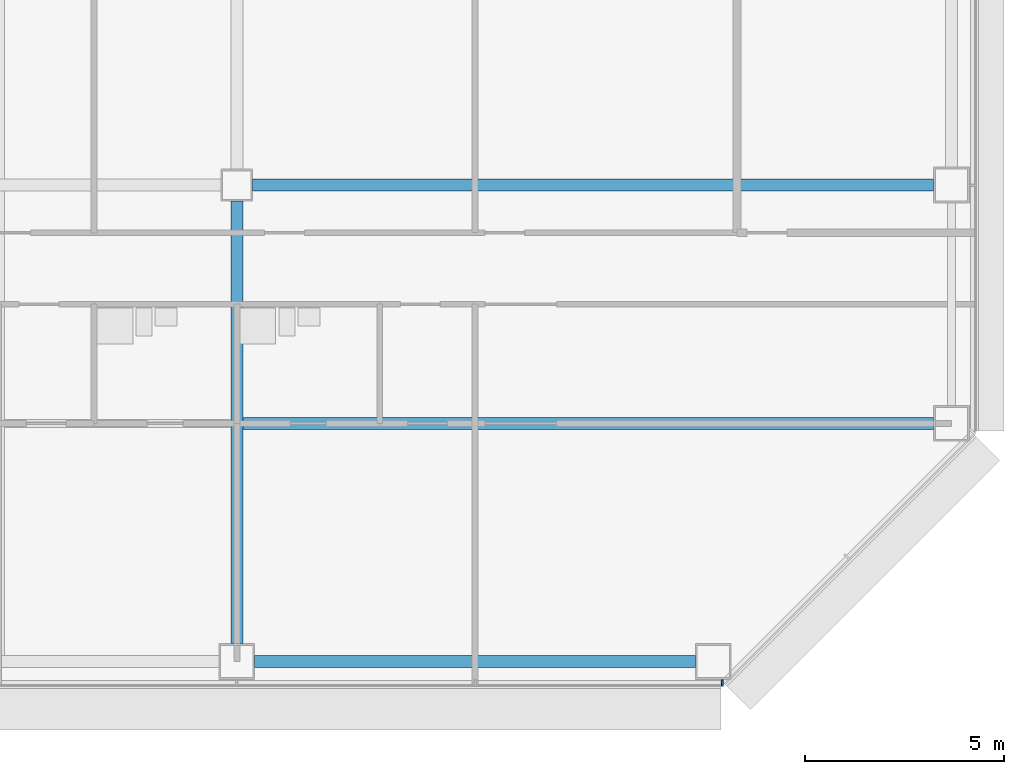
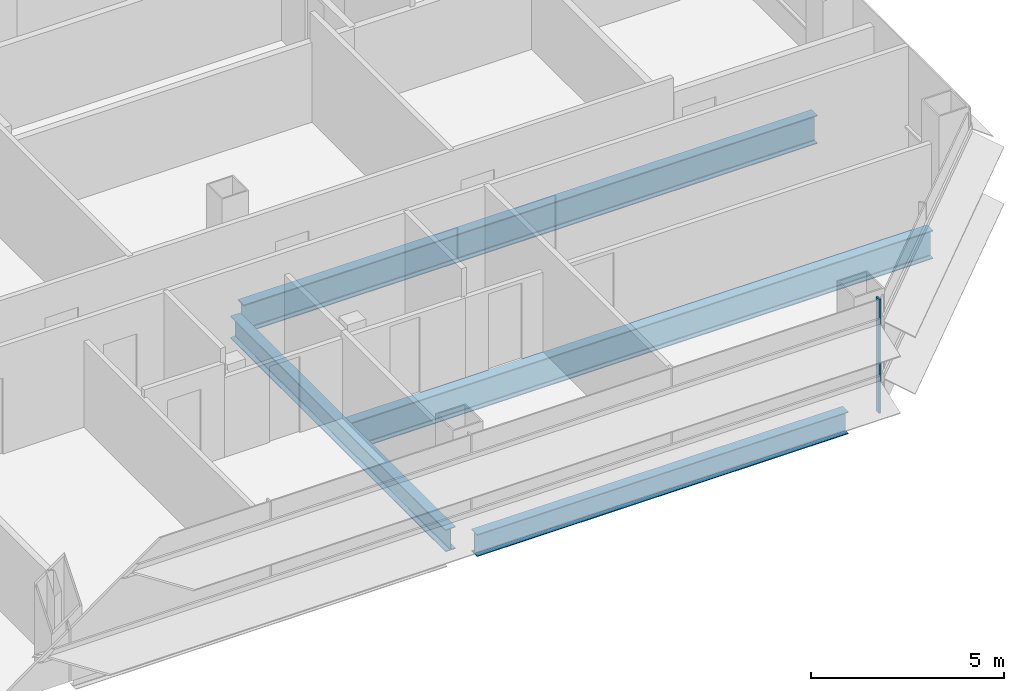
# One storey, part 9 of 27: 4 beams, 1 member, 1 element without a shape of its own.
"""IFC4 building model written with IfcOpenShell, lengths in metres."""

import ifcopenshell
import ifcopenshell.guid

model = None  # the IFC model being written
_history = None  # IfcOwnerHistory: only IFC2X3 demands one
_inside = {}  # id of a spatial element -> (the spatial element, [elements in it])
_under = {}  # id of a project, library or spatial element -> (it, [spatial elements below it])
_declared = {}  # id of a project -> (the project, [libraries it declares])
_typed = {}  # id of a type object -> (the type object, [elements of that type])
_made_of = {}  # id of a material, layer set ... -> (it, [elements and type objects made of it])


def new_model(schema):
    """Start an empty IFC model of exactly this schema.

    Asked for "IFC4X3", IfcOpenShell would pick the latest addendum, in which some entities
    have other attributes; the version numbers below select the first issue.
    IFC2X3 requires an IfcOwnerHistory on every rooted entity: one is made here for all.
    """
    global model, _history
    if schema == "IFC4X3":
        model = ifcopenshell.file(schema_version=(4, 3, 0, 0))
    else:
        model = ifcopenshell.file(schema=schema)
    _inside.clear()
    _under.clear()
    _declared.clear()
    _typed.clear()
    _made_of.clear()
    _history = None
    if model.schema == "IFC2X3":
        org = make("IfcOrganization", Name="unknown")
        user = make(
            "IfcPersonAndOrganization",
            ThePerson=make("IfcPerson", FamilyName="unknown"),
            TheOrganization=org,
        )
        app = make(
            "IfcApplication",
            ApplicationDeveloper=org,
            Version="unknown",
            ApplicationFullName="unknown",
            ApplicationIdentifier="unknown",
        )
        _history = make(
            "IfcOwnerHistory",
            OwningUser=user,
            OwningApplication=app,
            ChangeAction="ADDED",
            CreationDate=0,
        )
    return model


def make(cls, **values):
    """One entity of the class cls with the attributes given. An attribute that is None is left unset."""
    return model.create_entity(
        cls, **{name: value for name, value in values.items() if value is not None}
    )


def rooted(cls, **values):
    """An entity with a GlobalId (a new one), such as an element, a storey or a relation."""
    return make(cls, GlobalId=ifcopenshell.guid.new(), OwnerHistory=_history, **values)


def si_unit(unit_type, name, prefix=None):
    """IfcSIUnit, for example si_unit("LENGTHUNIT", "METRE", prefix="MILLI")."""
    return make("IfcSIUnit", UnitType=unit_type, Prefix=prefix, Name=name)


def assignment(units):
    """IfcUnitAssignment: the units of a project."""
    return None if units is None else make("IfcUnitAssignment", Units=units)


def point(xyz):
    """IfcCartesianPoint."""
    return None if xyz is None else make("IfcCartesianPoint", Coordinates=xyz)


def direction(xyz):
    """IfcDirection."""
    return None if xyz is None else make("IfcDirection", DirectionRatios=xyz)


def frame(location, z_axis=None, x_axis=None):
    """IfcAxis2Placement3D, a coordinate frame: its origin and axes. An axis left out is left unset."""
    return make(
        "IfcAxis2Placement3D",
        Location=point(location),
        Axis=direction(z_axis),
        RefDirection=direction(x_axis),
    )


def frame_2d(location, x_axis=None):
    """IfcAxis2Placement2D, a coordinate frame in the plane: its origin and x axis."""
    return make(
        "IfcAxis2Placement2D", Location=point(location), RefDirection=direction(x_axis)
    )


def origin():
    """The frame at (0, 0, 0) with its axes left unset."""
    return frame((0.0, 0.0, 0.0))


def origin_2d():
    """The frame at (0, 0) in the plane with its x axis left unset."""
    return frame_2d((0.0, 0.0))


def place(relative_to, where):
    """IfcLocalPlacement: puts the frame where relative to a parent placement (None: the world)."""
    return make(
        "IfcLocalPlacement", PlacementRelTo=relative_to, RelativePlacement=where
    )


def context(
    kind, dimensions, precision=None, world=None, true_north=None, identifier=None
):
    """IfcGeometricRepresentationContext, for example the 3D "Model" context."""
    return make(
        "IfcGeometricRepresentationContext",
        ContextIdentifier=identifier,
        ContextType=kind,
        CoordinateSpaceDimension=dimensions,
        Precision=precision,
        WorldCoordinateSystem=world,
        TrueNorth=true_north,
    )


def subcontext(parent, identifier, kind, view, scale=None):
    """IfcGeometricRepresentationSubContext, for example "Body" below "Model"."""
    return make(
        "IfcGeometricRepresentationSubContext",
        ContextIdentifier=identifier,
        ContextType=kind,
        ParentContext=parent,
        TargetScale=scale,
        TargetView=view,
    )


def project(units=None, contexts=None):
    """IfcProject with its units and contexts."""
    return rooted(
        "IfcProject",
        Name="project",
        RepresentationContexts=contexts,
        UnitsInContext=assignment(units),
    )


def spatial(cls, under=None, at=None, **own):
    """A site, building, storey or space (cls), placed at a placement, below another one or the project."""
    s = rooted(cls, ObjectPlacement=at, **own)
    if under is not None:
        _under.setdefault(under.id(), (under, []))[1].append(s)
    return s


def profile(cls, at=None, kind="AREA", **sizes):
    """A parametric profile (cls). Its sizes go by their IFC names, for example OverallWidth=200.0."""
    return make(cls, ProfileType=kind, Position=at, **sizes)


def rectangle(**sizes):
    """IfcRectangleProfileDef."""
    return profile("IfcRectangleProfileDef", **sizes)


def i_section(**sizes):
    """IfcIShapeProfileDef."""
    return profile("IfcIShapeProfileDef", **sizes)


def extrude(swept, where, along, depth):
    """IfcExtrudedAreaSolid: the profile swept, set in the frame where, extruded along a direction by depth."""
    return make(
        "IfcExtrudedAreaSolid",
        SweptArea=swept,
        Position=where,
        ExtrudedDirection=direction(along),
        Depth=depth,
    )


def shape(context_of_items, identifier, shape_type, items):
    """IfcShapeRepresentation: the items that make up one representation, for example the "Body"."""
    return make(
        "IfcShapeRepresentation",
        ContextOfItems=context_of_items,
        RepresentationIdentifier=identifier,
        RepresentationType=shape_type,
        Items=items,
    )


def material(Name=None, Category=None):
    """IfcMaterial."""
    return make("IfcMaterial", Name=Name, Category=Category)


def material_profile(
    of_material, cross_section, Name=None, Category=None, Priority=None
):
    """IfcMaterialProfile: a cross section and its material."""
    return make(
        "IfcMaterialProfile",
        Name=Name,
        Material=of_material,
        Profile=cross_section,
        Priority=Priority,
        Category=Category,
    )


def profile_set(profiles, Name=None, composite=None):
    """IfcMaterialProfileSet."""
    return make(
        "IfcMaterialProfileSet",
        Name=Name,
        MaterialProfiles=profiles,
        CompositeProfile=composite,
    )


def made_of(thing, what):
    """Note that an element or type object is made of a material, layer set ...; save() writes the relation."""
    if what is not None:
        _made_of.setdefault(what.id(), (what, []))[1].append(thing)
    return thing


def type_object(cls, material=None, **own):
    """A type object (cls), such as IfcWallType, which elements share."""
    return made_of(rooted(cls, **own), material)


def element(
    cls,
    number,
    at=None,
    inside=None,
    cuts=None,
    type_object=None,
    material=None,
    context=None,
    identifier="Body",
    shape_type=None,
    held_by="IfcProductDefinitionShape",
    body=None,
    shapes=None,
    **own,
):
    """One element of the class cls, such as IfcWall. Its Tag is "e" and its number.

    at: its placement. inside: the storey or other place that contains it. cuts: it is an
    opening in that element (IfcRelVoidsElement). A single representation is given by context,
    identifier, shape_type and body (its items); several are given by shapes. held_by: the class
    of the entity that holds the representations. save() writes the other relations.
    """
    e = rooted(cls, Tag="e%d" % number, ObjectPlacement=at, **own)
    if body is not None:
        shapes = [shape(context, identifier, shape_type, body)]
    if shapes is not None:
        e.Representation = make(held_by, Representations=shapes)
    if inside is not None:
        _inside.setdefault(inside.id(), (inside, []))[1].append(e)
    if cuts is not None:
        rooted(
            "IfcRelVoidsElement", RelatingBuildingElement=cuts, RelatedOpeningElement=e
        )
    if type_object is not None:
        _typed.setdefault(type_object.id(), (type_object, []))[1].append(e)
    return made_of(e, material)


def aggregate(whole, parts):
    """IfcRelAggregates: a whole, such as a stair, and the parts it consists of."""
    return rooted("IfcRelAggregates", RelatingObject=whole, RelatedObjects=parts)


def save(model, path):
    """Write the relations noted so far, then the file.

    IfcRelAggregates (storeys below a building ...), IfcRelContainedInSpatialStructure (elements
    in a storey), IfcRelDefinesByType, IfcRelAssociatesMaterial and IfcRelDeclares: one each for
    every whole, place, type object, material and project.
    """
    for whole, parts in _under.values():
        aggregate(whole, parts)
    for where, things in _inside.values():
        rooted(
            "IfcRelContainedInSpatialStructure",
            RelatedElements=things,
            RelatingStructure=where,
        )
    for kind, things in _typed.values():
        rooted("IfcRelDefinesByType", RelatedObjects=things, RelatingType=kind)
    for what, things in _made_of.values():
        rooted("IfcRelAssociatesMaterial", RelatedObjects=things, RelatingMaterial=what)
    for by, libraries in _declared.values():
        rooted("IfcRelDeclares", RelatingContext=by, RelatedDefinitions=libraries)
    model.write(path)


model = new_model("IFC4")

# Units and contexts
model_context = context("Model", 3, precision=1e-05, world=origin(), true_north=direction((0.0, 1.0)))
body_context = subcontext(model_context, "Body", "Model", "MODEL_VIEW")
ifc_project = project(units=[si_unit("LENGTHUNIT", "METRE"), si_unit("AREAUNIT", "SQUARE_METRE"), si_unit("VOLUMEUNIT", "CUBIC_METRE"), si_unit("PLANEANGLEUNIT", "RADIAN"), si_unit("MASSUNIT", "GRAM", prefix="KILO")], contexts=[model_context])

# Site, building, storey
site_placement = place(None, origin())
site = spatial("IfcSite", under=ifc_project, at=site_placement, CompositionType="ELEMENT")
building_placement = place(site_placement, origin())
building = spatial("IfcBuilding", under=site, at=building_placement, Name="Sorahane Residences", CompositionType="ELEMENT")
storey_placement = place(building_placement, frame((0.0, 0.0, 53.39990234375)))
storey = spatial("IfcBuildingStorey", under=building, at=storey_placement, Name="L09", CompositionType="ELEMENT", Elevation=53.39990234375)

# Curtain wall, member
ifc_material_1 = material(Name="Dark low-e glass and black anodised aluminium", Category="aluminium")
curtain_wall_type = type_object("IfcCurtainWallType", Name="Curtain wall CW-1 Typical unitised wall", PredefinedType="NOTDEFINED", material=ifc_material_1)
curtain_wall_placement = place(storey_placement, origin())
curtain_wall = element("IfcCurtainWall", 1, at=curtain_wall_placement, inside=storey, type_object=curtain_wall_type, Name="CW-1 curtain wall L09 S1", PredefinedType="NOTDEFINED")
ifc_material_2 = material(Name="Black anodised aluminium", Category="aluminium")
ifc_material_profile_1 = material_profile(ifc_material_2, rectangle(XDim=0.159912109375, YDim=0.050048828125, at=origin_2d()), Name="Curtain wall mullion CW-1 black anodised aluminium 50x160")
ifc_profile_set_1 = profile_set([ifc_material_profile_1], Name="Black anodised aluminium")
member_type = type_object("IfcMemberType", Name="Curtain wall mullion CW-1 black anodised aluminium 50x160", PredefinedType="MULLION", material=ifc_profile_set_1)
member_placement = place(storey_placement, frame((60.2236328125, -0.5400390625, -0.179931640625), z_axis=(0.0, 0.0, 1.0), x_axis=(0.0, -1.0, 0.0)))
member = element("IfcMember", 2, at=member_placement, type_object=member_type, Name="CW-1 mullion L09 S1.10", PredefinedType="MULLION", context=body_context, shape_type="SweptSolid", body=[
    extrude(rectangle(XDim=0.159912109375, YDim=0.050048828125, at=origin_2d()), origin(), (0.0, 0.0, 1.0), 3.60009765625),
])
aggregate(curtain_wall, [member])

# Beams
ifc_material_3 = material(Name="Steel Q355B", Category="steel")
ifc_material_profile_2 = material_profile(ifc_material_3, i_section(OverallWidth=0.300048828125, OverallDepth=0.699951171875, WebThickness=0.012939453125, FlangeThickness=0.02392578125, FilletRadius=0.028076171875, at=origin_2d()), Name="HN 700x300x13x24")
ifc_profile_set_2 = profile_set([ifc_material_profile_2], Name="Steel Q355B")
beam_type_1 = type_object("IfcBeamType", Name="Steel floor beam HN 700x300x13x24 Q355B", PredefinedType="BEAM", material=ifc_profile_set_2)
beam_1_placement = place(storey_placement, frame((48.449951171875, 0.0, -0.52978515625), z_axis=(1.0, 0.0, 0.0), x_axis=(0.0, 1.0, 0.0)))
element("IfcBeam", 3, at=beam_1_placement, inside=storey, type_object=beam_type_1, Name="Beam L09 004", PredefinedType="BEAM", context=body_context, shape_type="SweptSolid", body=[
    extrude(i_section(OverallWidth=0.300048828125, OverallDepth=0.699951171875, WebThickness=0.012939453125, FlangeThickness=0.02392578125, FilletRadius=0.028076171875, at=origin_2d()), origin(), (0.0, 0.0, 1.0), 11.10009765625),
])
beam_2_placement = place(storey_placement, frame((48.0, 0.449951171875, -0.52978515625), z_axis=(0.0, 1.0, 0.0), x_axis=(-1.0, 0.0, 0.0)))
element("IfcBeam", 4, at=beam_2_placement, inside=storey, type_object=beam_type_1, Name="Beam L09 051", PredefinedType="BEAM", context=body_context, shape_type="SweptSolid", body=[
    extrude(i_section(OverallWidth=0.300048828125, OverallDepth=0.699951171875, WebThickness=0.012939453125, FlangeThickness=0.02392578125, FilletRadius=0.028076171875, at=origin_2d()), origin(), (0.0, 0.0, 1.0), 11.150146484375),
])
ifc_material_4 = material(Name="Steel Q355B", Category="steel")
ifc_material_profile_3 = material_profile(ifc_material_4, i_section(OverallWidth=0.300048828125, OverallDepth=0.89990234375, WebThickness=0.01611328125, FlangeThickness=0.028076171875, FilletRadius=0.028076171875, at=origin_2d()), Name="HN 900x300x16x28")
ifc_profile_set_3 = profile_set([ifc_material_profile_3], Name="Steel Q355B")
beam_type_2 = type_object("IfcBeamType", Name="Steel floor beam HN 900x300x16x28 Q355B", PredefinedType="BEAM", material=ifc_profile_set_3)
beam_3_placement = place(storey_placement, frame((48.39990234375, 12.0, -0.6298828125), z_axis=(1.0, 0.0, 0.0), x_axis=(0.0, 1.0, 0.0)))
element("IfcBeam", 5, at=beam_3_placement, inside=storey, type_object=beam_type_2, Name="Beam L09 009", PredefinedType="BEAM", context=body_context, shape_type="SweptSolid", body=[
    extrude(i_section(OverallWidth=0.300048828125, OverallDepth=0.89990234375, WebThickness=0.01611328125, FlangeThickness=0.028076171875, FilletRadius=0.028076171875, at=origin_2d()), origin(), (0.0, 0.0, 1.0), 17.150146484375),
])
beam_4_placement = place(storey_placement, frame((48.14990234375, 6.0, -0.6298828125), z_axis=(1.0, 0.0, 0.0), x_axis=(0.0, 1.0, 0.0)))
element("IfcBeam", 6, at=beam_4_placement, inside=storey, type_object=beam_type_2, Name="Beam L09 069", PredefinedType="BEAM", context=body_context, shape_type="SweptSolid", body=[
    extrude(i_section(OverallWidth=0.300048828125, OverallDepth=0.89990234375, WebThickness=0.01611328125, FlangeThickness=0.028076171875, FilletRadius=0.028076171875, at=origin_2d()), origin(), (0.0, 0.0, 1.0), 17.400146484375),
])

save(model, "model.ifc")
